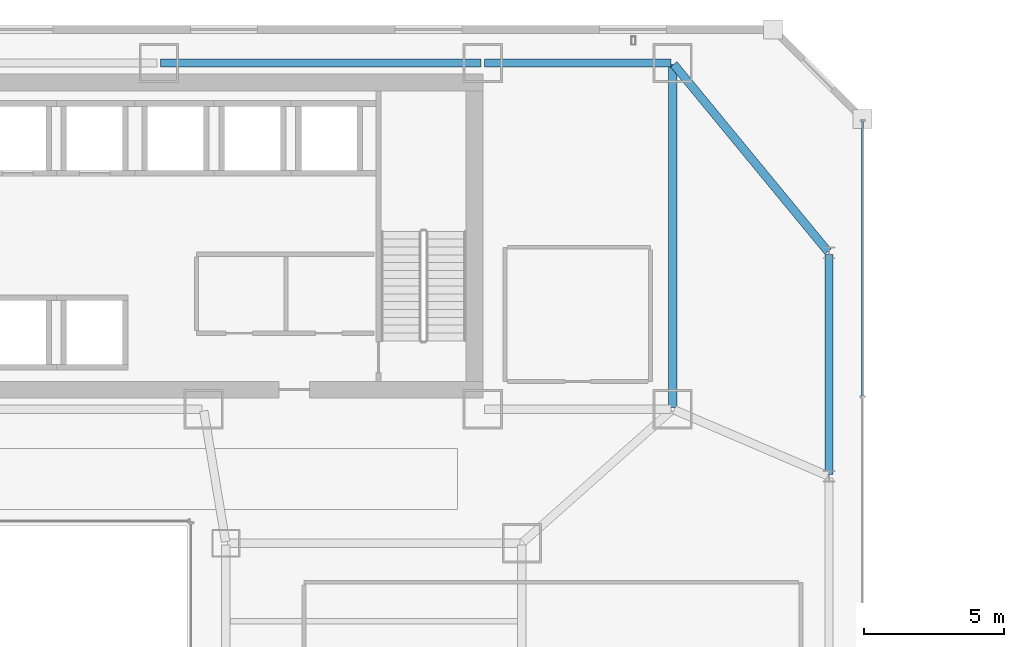
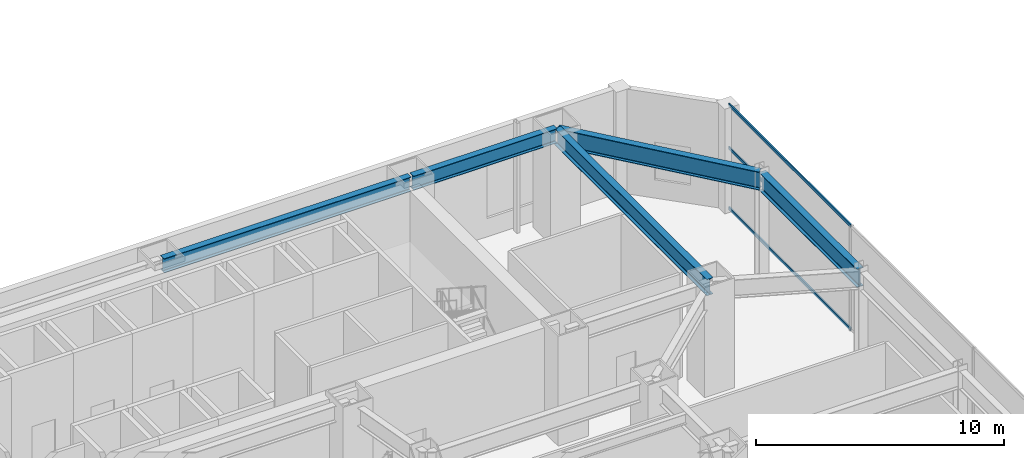
# One storey, part 30 of 53: 5 beams, 3 members, 1 element without a shape of its own.
"""IFC4 building model written with IfcOpenShell, lengths in metres."""

from ifc_helpers import new_model, si_unit, direction, frame, origin, origin_2d, place, context, subcontext, project, spatial, hollow_rectangle, i_section, extrude, material, material_profile, profile_set, type_object, element, aggregate, save


model = new_model("IFC4")

# Units and contexts
model_context = context("Model", 3, precision=1e-05, world=origin(), true_north=direction((0.0, 1.0)))
body_context = subcontext(model_context, "Body", "Model", "MODEL_VIEW")
ifc_project = project(units=[si_unit("LENGTHUNIT", "METRE"), si_unit("AREAUNIT", "SQUARE_METRE"), si_unit("VOLUMEUNIT", "CUBIC_METRE"), si_unit("PLANEANGLEUNIT", "RADIAN"), si_unit("MASSUNIT", "GRAM", prefix="KILO")], contexts=[model_context])

# Site, building, storey
site_placement = place(None, origin())
site = spatial("IfcSite", under=ifc_project, at=site_placement, CompositionType="ELEMENT")
building_placement = place(site_placement, origin())
building = spatial("IfcBuilding", under=site, at=building_placement, Name="Saevonmaru Cultural Tower", CompositionType="ELEMENT")
storey_placement = place(building_placement, frame((0.0, 0.0, 22.199951171875)))
storey = spatial("IfcBuildingStorey", under=building, at=storey_placement, Name="L04", CompositionType="ELEMENT", Elevation=22.199951171875)

# Beams
ifc_material_1 = material(Name="Steel SM420", Category="steel")
ifc_material_profile_1 = material_profile(ifc_material_1, i_section(OverallWidth=0.300048828125, OverallDepth=0.800048828125, WebThickness=0.013916015625, FlangeThickness=0.02587890625, FilletRadius=0.028076171875, at=origin_2d()), Name="H-800x300x14x26")
ifc_profile_set_1 = profile_set([ifc_material_profile_1], Name="Steel SM420")
beam_type_1 = type_object("IfcBeamType", Name="BM-G-H800", PredefinedType="BEAM", material=ifc_profile_set_1)
beam_1_placement = place(storey_placement, frame((53.199951171875, 54.739990234375, 4.75), z_axis=(0.0, -1.0, 0.0), x_axis=(1.0, 0.0, 0.0)))
element("IfcBeam", 1, at=beam_1_placement, inside=storey, type_object=beam_type_1, Name="L04 Spine Transverse Girder E", PredefinedType="BEAM", context=body_context, shape_type="SweptSolid", body=[
    extrude(i_section(OverallWidth=0.300048828125, OverallDepth=0.800048828125, WebThickness=0.013916015625, FlangeThickness=0.02587890625, FilletRadius=0.028076171875, at=origin_2d()), origin(), (0.0, 0.0, 1.0), 12.280029296875),
])
ifc_material_profile_2 = material_profile(ifc_material_1, i_section(OverallWidth=0.300048828125, OverallDepth=0.89990234375, WebThickness=0.01611328125, FlangeThickness=0.028076171875, FilletRadius=0.028076171875, at=origin_2d()), Name="H-900x300x16x28")
ifc_profile_set_2 = profile_set([ifc_material_profile_2], Name="Steel SM420")
beam_type_2 = type_object("IfcBeamType", Name="BM-G-H900", PredefinedType="BEAM", material=ifc_profile_set_2)
beam_2_placement = place(storey_placement, frame((58.800048828125, 40.06005859375, 4.699951171875), z_axis=(0.0, 1.0, 0.0), x_axis=(-1.0, 0.0, 0.0)))
element("IfcBeam", 2, at=beam_2_placement, inside=storey, type_object=beam_type_2, Name="BM-POD-PE-5-L04", PredefinedType="BEAM", context=body_context, shape_type="SweptSolid", body=[
    extrude(i_section(OverallWidth=0.300048828125, OverallDepth=0.89990234375, WebThickness=0.01611328125, FlangeThickness=0.028076171875, FilletRadius=0.028076171875, at=origin_2d()), origin(), (0.0, 0.0, 1.0), 7.8798828125),
])
beam_3_placement = place(storey_placement, frame((53.238037109375, 54.753662109375, 4.699951171875), z_axis=(0.635726949651, -0.771914014309, 0.0), x_axis=(0.771914014309, 0.635726949651, 0.0)))
element("IfcBeam", 3, at=beam_3_placement, inside=storey, type_object=beam_type_2, Name="BM-POD-TE2-L04", PredefinedType="BEAM", context=body_context, shape_type="SweptSolid", body=[
    extrude(i_section(OverallWidth=0.300048828125, OverallDepth=0.89990234375, WebThickness=0.01611328125, FlangeThickness=0.028076171875, FilletRadius=0.028076171875, at=origin_2d()), origin(), (0.0, 0.0, 1.0), 8.689208984375),
])
ifc_material_2 = material(Name="Steel SM355", Category="steel")
ifc_material_profile_3 = material_profile(ifc_material_2, i_section(OverallWidth=0.300048828125, OverallDepth=0.699951171875, WebThickness=0.012939453125, FlangeThickness=0.02392578125, FilletRadius=0.02587890625, at=origin_2d()), Name="H-700x300x13x24")
ifc_profile_set_3 = profile_set([ifc_material_profile_3], Name="Steel SM355")
beam_type_3 = type_object("IfcBeamType", Name="BM-SP-H700", PredefinedType="SPANDREL", material=ifc_profile_set_3)
beam_4_placement = place(storey_placement, frame((34.860107421875, 54.800048828125, 4.800048828125), z_axis=(1.0, 0.0, 0.0), x_axis=(0.0, 1.0, 0.0)))
element("IfcBeam", 4, at=beam_4_placement, inside=storey, type_object=beam_type_3, Name="L04 North Spine Girder 4", PredefinedType="SPANDREL", context=body_context, shape_type="SweptSolid", body=[
    extrude(i_section(OverallWidth=0.300048828125, OverallDepth=0.699951171875, WebThickness=0.012939453125, FlangeThickness=0.02392578125, FilletRadius=0.02587890625, at=origin_2d()), origin(), (0.0, 0.0, 1.0), 11.47998046875),
])
beam_5_placement = place(storey_placement, frame((46.4599609375, 54.800048828125, 4.800048828125), z_axis=(1.0, 0.0, 0.0), x_axis=(0.0, 1.0, 0.0)))
element("IfcBeam", 5, at=beam_5_placement, inside=storey, type_object=beam_type_3, Name="L04 North Spine Girder 5", PredefinedType="SPANDREL", context=body_context, shape_type="SweptSolid", body=[
    extrude(i_section(OverallWidth=0.300048828125, OverallDepth=0.699951171875, WebThickness=0.012939453125, FlangeThickness=0.02392578125, FilletRadius=0.02587890625, at=origin_2d()), origin(), (0.0, 0.0, 1.0), 6.679931640625),
])

# Curtain wall, members
ifc_material_3 = material(Name="Satin Bronze Anodised Aluminium", Category="aluminium")
curtain_wall_type = type_object("IfcCurtainWallType", Name="CW-POD-GLZ", PredefinedType="NOTDEFINED", material=ifc_material_3)
curtain_wall_placement = place(storey_placement, origin())
curtain_wall = element("IfcCurtainWall", 6, at=curtain_wall_placement, inside=storey, type_object=curtain_wall_type, Name="L04 Saevon Plaza Curtain Wall", PredefinedType="NOTDEFINED")
ifc_material_profile_4 = material_profile(ifc_material_3, hollow_rectangle(XDim=0.06494140625, YDim=0.14990234375, WallThickness=0.00390625, at=origin_2d()), Name="ALU-TRAN-150x65x4")
ifc_profile_set_4 = profile_set([ifc_material_profile_4], Name="Satin Bronze Anodised Aluminium")
member_type = type_object("IfcMemberType", Name="TR-CW-150x65", PredefinedType="USERDEFINED", material=ifc_profile_set_4)
member_1_placement = place(storey_placement, frame((60.0, 42.87646484375, 0.032470703125), z_axis=(0.0, 1.0, 0.0), x_axis=(-1.0, 0.0, 0.0)))
member_1 = element("IfcMember", 7, at=member_1_placement, type_object=member_type, Name="CW-POD-E-L04 transom 5.1", ObjectType="TRANSOM", PredefinedType="USERDEFINED", context=body_context, shape_type="SweptSolid", body=[
    extrude(hollow_rectangle(XDim=0.06494140625, YDim=0.14990234375, WallThickness=0.00390625, at=origin_2d()), origin(), (0.0, 0.0, 1.0), 9.8310546875),
])
member_2_placement = place(storey_placement, frame((60.0, 42.87646484375, 3.0), z_axis=(0.0, 1.0, 0.0), x_axis=(-1.0, 0.0, 0.0)))
member_2 = element("IfcMember", 8, at=member_2_placement, type_object=member_type, Name="CW-POD-E-L04 transom 5.2", ObjectType="TRANSOM", PredefinedType="USERDEFINED", context=body_context, shape_type="SweptSolid", body=[
    extrude(hollow_rectangle(XDim=0.06494140625, YDim=0.14990234375, WallThickness=0.00390625, at=origin_2d()), origin(), (0.0, 0.0, 1.0), 9.8310546875),
])
member_3_placement = place(storey_placement, frame((60.0, 42.87646484375, 5.117431640625), z_axis=(0.0, 1.0, 0.0), x_axis=(-1.0, 0.0, 0.0)))
member_3 = element("IfcMember", 9, at=member_3_placement, type_object=member_type, Name="CW-POD-E-L04 transom 5.3", ObjectType="TRANSOM", PredefinedType="USERDEFINED", context=body_context, shape_type="SweptSolid", body=[
    extrude(hollow_rectangle(XDim=0.06494140625, YDim=0.14990234375, WallThickness=0.00390625, at=origin_2d()), origin(), (0.0, 0.0, 1.0), 9.8310546875),
])
aggregate(curtain_wall, [member_1, member_2, member_3])

save(model, "model.ifc")
